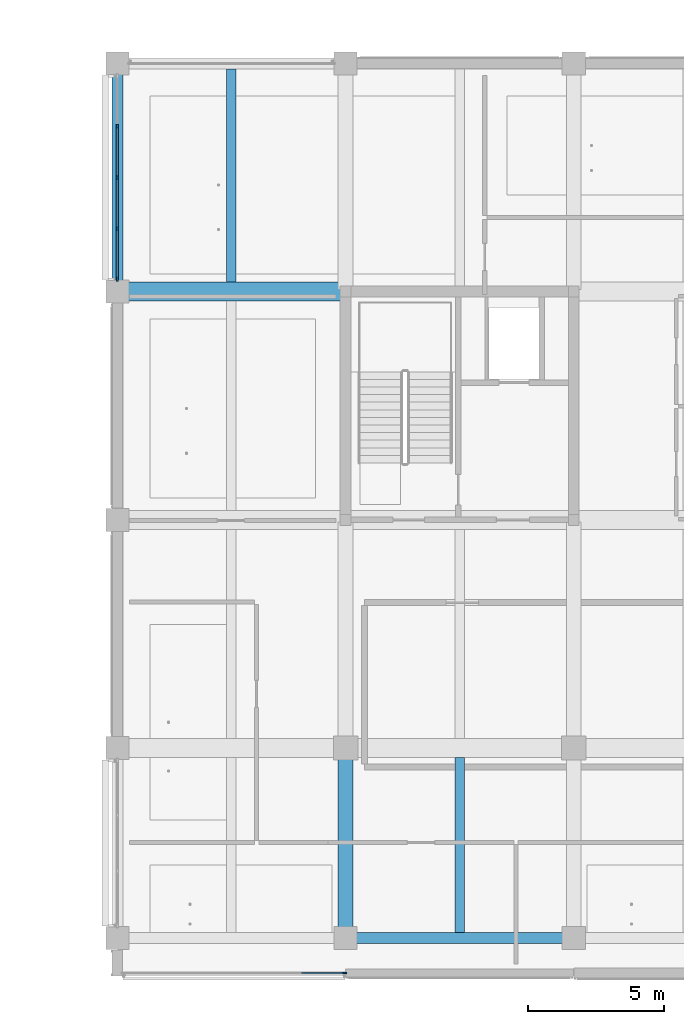
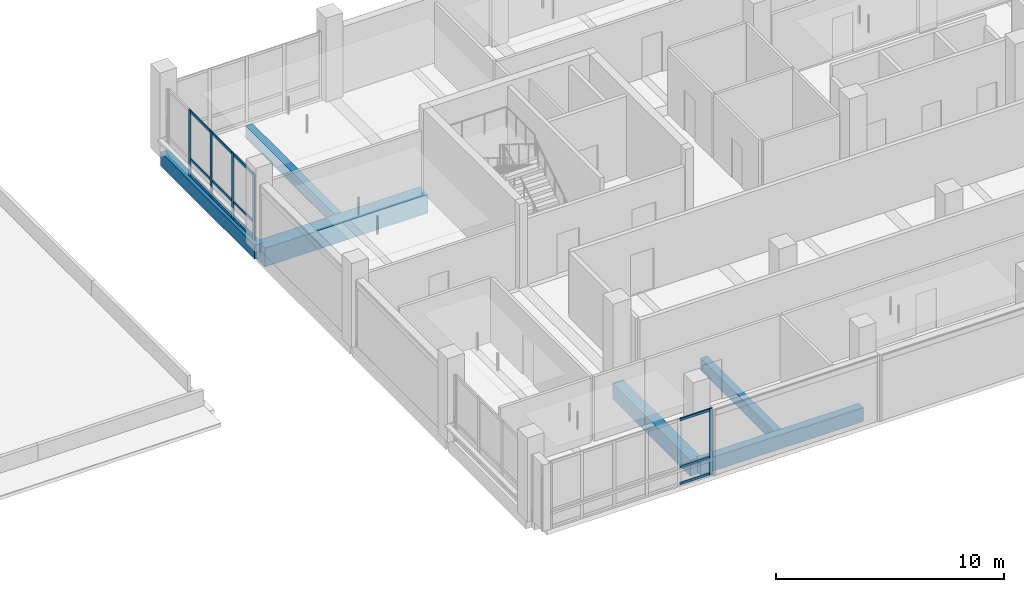
# One storey, part 4 of 39: 17 members, 6 beams, 2 elements without a shape of their own.
"""IFC4 building model written with IfcOpenShell, lengths in metres."""

from ifc_helpers import new_model, si_unit, direction, frame, origin, origin_2d, place, context, subcontext, project, spatial, rectangle, extrude, material, layer, layer_set, material_profile, profile_set, type_object, element, aggregate, save


model = new_model("IFC4")

# Units and contexts
model_context = context("Model", 3, precision=1e-05, world=origin(), true_north=direction((0.0, 1.0)))
body_context = subcontext(model_context, "Body", "Model", "MODEL_VIEW")
ifc_project = project(units=[si_unit("LENGTHUNIT", "METRE"), si_unit("AREAUNIT", "SQUARE_METRE"), si_unit("VOLUMEUNIT", "CUBIC_METRE"), si_unit("PLANEANGLEUNIT", "RADIAN"), si_unit("MASSUNIT", "GRAM", prefix="KILO")], contexts=[model_context])

# Site, building, storey
site_placement = place(None, origin())
site = spatial("IfcSite", under=ifc_project, at=site_placement, CompositionType="ELEMENT")
building_placement = place(site_placement, origin())
building = spatial("IfcBuilding", under=site, at=building_placement, Name="Telukmera Botanical Conservatory", CompositionType="ELEMENT")
storey_placement = place(building_placement, frame((0.0, 0.0, 19.5)))
storey = spatial("IfcBuildingStorey", under=building, at=storey_placement, Name="L04", CompositionType="ELEMENT", Elevation=19.5)

# Beams
ifc_material_1 = material(Name="Concrete C50/60", Category="concrete")
ifc_material_profile_1 = material_profile(ifc_material_1, rectangle(XDim=0.699951171875, YDim=1.0, at=origin_2d()), Name="RC 700x1000")
ifc_profile_set_1 = profile_set([ifc_material_profile_1], Name="Concrete C50/60")
beam_type_1 = type_object("IfcBeamType", Name="Beam_B1", PredefinedType="BEAM", material=ifc_profile_set_1)
beam_1_placement = place(storey_placement, frame((50.47998046875, 34.39990234375, -0.5), z_axis=(1.0, 0.0, 0.0), x_axis=(0.0, 1.0, 0.0)))
element("IfcBeam", 1, at=beam_1_placement, inside=storey, type_object=beam_type_1, Name="Tower Grid Beam L04", PredefinedType="BEAM", context=body_context, shape_type="SweptSolid", body=[
    extrude(rectangle(XDim=0.699951171875, YDim=1.0, at=origin_2d()), origin(), (0.0, 0.0, 1.0), 8.239990234375),
])
ifc_material_2 = material(Name="Concrete C40/50", Category="concrete")
ifc_material_profile_2 = material_profile(ifc_material_2, rectangle(XDim=0.35009765625, YDim=0.64990234375, at=origin_2d()), Name="RC 350x650")
ifc_profile_set_2 = profile_set([ifc_material_profile_2], Name="Concrete C40/50")
beam_type_2 = type_object("IfcBeamType", Name="Beam_B20", PredefinedType="JOIST", material=ifc_profile_set_2)
beam_2_placement = place(storey_placement, frame((54.60009765625, 34.75, -0.324951171875), z_axis=(0.0, 1.0, 0.0), x_axis=(-1.0, 0.0, 0.0)))
element("IfcBeam", 2, at=beam_2_placement, inside=storey, type_object=beam_type_2, Name="Tower Secondary Floor Joist L04", PredefinedType="JOIST", context=body_context, shape_type="SweptSolid", body=[
    extrude(rectangle(XDim=0.35009765625, YDim=0.64990234375, at=origin_2d()), origin(), (0.0, 0.0, 1.0), 7.85009765625),
])
beam_3_placement = place(storey_placement, frame((63.0, 10.800048828125, -0.324951171875), z_axis=(0.0, 1.0, 0.0), x_axis=(-1.0, 0.0, 0.0)))
element("IfcBeam", 3, at=beam_3_placement, inside=storey, type_object=beam_type_2, Name="Tower Secondary Floor Joist L04", PredefinedType="JOIST", context=body_context, shape_type="SweptSolid", body=[
    extrude(rectangle(XDim=0.35009765625, YDim=0.64990234375, at=origin_2d()), origin(), (0.0, 0.0, 1.0), 6.449951171875),
])
ifc_material_profile_3 = material_profile(ifc_material_2, rectangle(XDim=0.550048828125, YDim=0.85009765625, at=origin_2d()), Name="RC 550x850")
ifc_profile_set_3 = profile_set([ifc_material_profile_3], Name="Concrete C40/50")
beam_type_3 = type_object("IfcBeamType", Name="Beam_B4", PredefinedType="BEAM", material=ifc_profile_set_3)
beam_4_placement = place(storey_placement, frame((58.800048828125, 10.679931640625, -0.425048828125), z_axis=(0.0, 1.0, 0.0), x_axis=(-1.0, 0.0, 0.0)))
element("IfcBeam", 4, at=beam_4_placement, inside=storey, type_object=beam_type_3, Name="Tower Transverse Beam L04", PredefinedType="BEAM", context=body_context, shape_type="SweptSolid", body=[
    extrude(rectangle(XDim=0.550048828125, YDim=0.85009765625, at=origin_2d()), origin(), (0.0, 0.0, 1.0), 6.840087890625),
])
ifc_material_3 = material(Name="Precast concrete C40/50", Category="concrete")
ifc_material_profile_4 = material_profile(ifc_material_3, rectangle(XDim=0.39990234375, YDim=0.75, at=origin_2d()), Name="PC 400x750")
ifc_profile_set_4 = profile_set([ifc_material_profile_4], Name="Precast concrete C40/50")
beam_type_4 = type_object("IfcBeamType", Name="Beam_SP1", PredefinedType="SPANDREL", material=ifc_profile_set_4)
beam_5_placement = place(storey_placement, frame((58.8798828125, 10.60009765625, -0.375), z_axis=(1.0, 0.0, 0.0), x_axis=(0.0, 1.0, 0.0)))
element("IfcBeam", 5, at=beam_5_placement, inside=storey, type_object=beam_type_4, Name="Tower Grid Beam L04", PredefinedType="SPANDREL", context=body_context, shape_type="SweptSolid", body=[
    extrude(rectangle(XDim=0.39990234375, YDim=0.75, at=origin_2d()), origin(), (0.0, 0.0, 1.0), 8.240234375),
])
beam_6_placement = place(storey_placement, frame((50.39990234375, 34.47998046875, -0.375), z_axis=(0.0, 1.0, 0.0), x_axis=(-1.0, 0.0, 0.0)))
element("IfcBeam", 6, at=beam_6_placement, inside=storey, type_object=beam_type_4, Name="Tower Transverse Beam L04", PredefinedType="SPANDREL", context=body_context, shape_type="SweptSolid", body=[
    extrude(rectangle(XDim=0.39990234375, YDim=0.75, at=origin_2d()), origin(), (0.0, 0.0, 1.0), 8.239990234375),
])

# Curtain wall, member
ifc_material_4 = material(Name="Anodised aluminium 6063-T6", Category="aluminium")
ifc_layer = layer(ifc_material_4, 0.179931640625)
ifc_layer_set = layer_set([ifc_layer], Name="Anodised aluminium 6063-T6")
curtain_wall_type = type_object("IfcCurtainWallType", Name="Tower Herbarium Curation Corner Curtain Wall", PredefinedType="USERDEFINED", material=ifc_layer_set)
curtain_wall_1_placement = place(storey_placement, origin())
curtain_wall_1 = element("IfcCurtainWall", 7, at=curtain_wall_1_placement, inside=storey, type_object=curtain_wall_type, Name="Unitised Curtain Wall CW14 V4:L04:S1", ObjectType="UNITISED CURTAIN WALL", PredefinedType="USERDEFINED")
ifc_material_profile_5 = material_profile(ifc_material_4, rectangle(XDim=0.06494140625, YDim=0.159912109375, at=origin_2d()), Name="ALU MULL 65x160")
ifc_profile_set_5 = profile_set([ifc_material_profile_5], Name="Anodised aluminium 6063-T6")
member_type_1 = type_object("IfcMemberType", Name="Curtain Wall Extruded Mullion 65x160", PredefinedType="MULLION", material=ifc_profile_set_5)
member_1_placement = place(storey_placement, frame((58.765380859375, 9.320068359375, 0.0), z_axis=(0.0, 0.0, 1.0), x_axis=(0.0, 1.0, 0.0)))
member_1 = element("IfcMember", 8, at=member_1_placement, type_object=member_type_1, Name="CW14 mullion 6", PredefinedType="MULLION", context=body_context, shape_type="SweptSolid", body=[
    extrude(rectangle(XDim=0.06494140625, YDim=0.159912109375, at=origin_2d()), origin(), (0.0, 0.0, 1.0), 3.550048828125),
])

# Curtain wall, members
curtain_wall_2_placement = place(storey_placement, origin())
curtain_wall_2 = element("IfcCurtainWall", 9, at=curtain_wall_2_placement, inside=storey, type_object=curtain_wall_type, Name="Unitised Curtain Wall CW14 V4:L04:W4", ObjectType="UNITISED CURTAIN WALL", PredefinedType="USERDEFINED")
member_2_placement = place(storey_placement, frame((50.39990234375, 34.859619140625, 0.0), z_axis=(0.0, 0.0, 1.0), x_axis=(-1.0, 0.0, 0.0)))
member_2 = element("IfcMember", 10, at=member_2_placement, type_object=member_type_1, Name="CW14 mullion 1", PredefinedType="MULLION", context=body_context, shape_type="SweptSolid", body=[
    extrude(rectangle(XDim=0.06494140625, YDim=0.159912109375, at=origin_2d()), origin(), (0.0, 0.0, 1.0), 3.550048828125),
])
member_3_placement = place(storey_placement, frame((50.39990234375, 36.71337890625, 0.0), z_axis=(0.0, 0.0, 1.0), x_axis=(-1.0, 0.0, 0.0)))
member_3 = element("IfcMember", 11, at=member_3_placement, type_object=member_type_1, Name="CW14 mullion 2", PredefinedType="MULLION", context=body_context, shape_type="SweptSolid", body=[
    extrude(rectangle(XDim=0.06494140625, YDim=0.159912109375, at=origin_2d()), origin(), (0.0, 0.0, 1.0), 3.550048828125),
])
member_4_placement = place(storey_placement, frame((50.39990234375, 38.60009765625, 0.0), z_axis=(0.0, 0.0, 1.0), x_axis=(-1.0, 0.0, 0.0)))
member_4 = element("IfcMember", 12, at=member_4_placement, type_object=member_type_1, Name="CW14 mullion 3", PredefinedType="MULLION", context=body_context, shape_type="SweptSolid", body=[
    extrude(rectangle(XDim=0.06494140625, YDim=0.159912109375, at=origin_2d()), origin(), (0.0, 0.0, 1.0), 3.550048828125),
])
member_5_placement = place(storey_placement, frame((50.39990234375, 40.486572265625, 0.0), z_axis=(0.0, 0.0, 1.0), x_axis=(-1.0, 0.0, 0.0)))
member_5 = element("IfcMember", 13, at=member_5_placement, type_object=member_type_1, Name="CW14 mullion 4", PredefinedType="MULLION", context=body_context, shape_type="SweptSolid", body=[
    extrude(rectangle(XDim=0.06494140625, YDim=0.159912109375, at=origin_2d()), origin(), (0.0, 0.0, 1.0), 3.550048828125),
])

# Member
ifc_material_profile_6 = material_profile(ifc_material_4, rectangle(XDim=0.06494140625, YDim=0.1298828125, at=origin_2d()), Name="ALU TRAN 65x130")
ifc_profile_set_6 = profile_set([ifc_material_profile_6], Name="Anodised aluminium 6063-T6")
member_type_2 = type_object("IfcMemberType", Name="Curtain Wall Extruded Transom 65x130", PredefinedType="USERDEFINED", material=ifc_profile_set_6)
member_6_placement = place(storey_placement, frame((57.189208984375, 9.320068359375, 0.06494140625), z_axis=(1.0, 0.0, 0.0), x_axis=(0.0, 1.0, 0.0)))
member_6 = element("IfcMember", 14, at=member_6_placement, type_object=member_type_2, Name="CW14 transom 5.1", ObjectType="TRANSOM", PredefinedType="USERDEFINED", context=body_context, shape_type="SweptSolid", body=[
    extrude(rectangle(XDim=0.06494140625, YDim=0.1298828125, at=origin_2d()), origin(), (0.0, 0.0, 1.0), 1.543701171875),
])

member_7_placement = place(storey_placement, frame((57.189208984375, 9.320068359375, 0.949951171875), z_axis=(1.0, 0.0, 0.0), x_axis=(0.0, 1.0, 0.0)))
member_7 = element("IfcMember", 15, at=member_7_placement, type_object=member_type_2, Name="CW14 transom 5.2", ObjectType="TRANSOM", PredefinedType="USERDEFINED", context=body_context, shape_type="SweptSolid", body=[
    extrude(rectangle(XDim=0.06494140625, YDim=0.1298828125, at=origin_2d()), origin(), (0.0, 0.0, 1.0), 1.543701171875),
])

member_8_placement = place(storey_placement, frame((57.189208984375, 9.320068359375, 3.485107421875), z_axis=(1.0, 0.0, 0.0), x_axis=(0.0, 1.0, 0.0)))
member_8 = element("IfcMember", 16, at=member_8_placement, type_object=member_type_2, Name="CW14 transom 5.3", ObjectType="TRANSOM", PredefinedType="USERDEFINED", context=body_context, shape_type="SweptSolid", body=[
    extrude(rectangle(XDim=0.06494140625, YDim=0.1298828125, at=origin_2d()), origin(), (0.0, 0.0, 1.0), 1.543701171875),
])

aggregate(curtain_wall_1, [member_1, member_6, member_7, member_8])

member_9_placement = place(storey_placement, frame((50.39990234375, 34.89208984375, 0.06494140625), z_axis=(0.0, 1.0, 0.0), x_axis=(-1.0, 0.0, 0.0)))
member_9 = element("IfcMember", 17, at=member_9_placement, type_object=member_type_2, Name="CW14 transom 1.1", ObjectType="TRANSOM", PredefinedType="USERDEFINED", context=body_context, shape_type="SweptSolid", body=[
    extrude(rectangle(XDim=0.06494140625, YDim=0.1298828125, at=origin_2d()), origin(), (0.0, 0.0, 1.0), 1.788818359375),
])

member_10_placement = place(storey_placement, frame((50.39990234375, 34.89208984375, 0.949951171875), z_axis=(0.0, 1.0, 0.0), x_axis=(-1.0, 0.0, 0.0)))
member_10 = element("IfcMember", 18, at=member_10_placement, type_object=member_type_2, Name="CW14 transom 1.2", ObjectType="TRANSOM", PredefinedType="USERDEFINED", context=body_context, shape_type="SweptSolid", body=[
    extrude(rectangle(XDim=0.06494140625, YDim=0.1298828125, at=origin_2d()), origin(), (0.0, 0.0, 1.0), 1.788818359375),
])

member_11_placement = place(storey_placement, frame((50.39990234375, 34.89208984375, 3.485107421875), z_axis=(0.0, 1.0, 0.0), x_axis=(-1.0, 0.0, 0.0)))
member_11 = element("IfcMember", 19, at=member_11_placement, type_object=member_type_2, Name="CW14 transom 1.3", ObjectType="TRANSOM", PredefinedType="USERDEFINED", context=body_context, shape_type="SweptSolid", body=[
    extrude(rectangle(XDim=0.06494140625, YDim=0.1298828125, at=origin_2d()), origin(), (0.0, 0.0, 1.0), 1.788818359375),
])

member_12_placement = place(storey_placement, frame((50.39990234375, 36.74609375, 0.06494140625), z_axis=(0.0, 1.0, 0.0), x_axis=(-1.0, 0.0, 0.0)))
member_12 = element("IfcMember", 20, at=member_12_placement, type_object=member_type_2, Name="CW14 transom 2.1", ObjectType="TRANSOM", PredefinedType="USERDEFINED", context=body_context, shape_type="SweptSolid", body=[
    extrude(rectangle(XDim=0.06494140625, YDim=0.1298828125, at=origin_2d()), origin(), (0.0, 0.0, 1.0), 1.8212890625),
])

member_13_placement = place(storey_placement, frame((50.39990234375, 36.74609375, 0.949951171875), z_axis=(0.0, 1.0, 0.0), x_axis=(-1.0, 0.0, 0.0)))
member_13 = element("IfcMember", 21, at=member_13_placement, type_object=member_type_2, Name="CW14 transom 2.2", ObjectType="TRANSOM", PredefinedType="USERDEFINED", context=body_context, shape_type="SweptSolid", body=[
    extrude(rectangle(XDim=0.06494140625, YDim=0.1298828125, at=origin_2d()), origin(), (0.0, 0.0, 1.0), 1.8212890625),
])

member_14_placement = place(storey_placement, frame((50.39990234375, 36.74609375, 3.485107421875), z_axis=(0.0, 1.0, 0.0), x_axis=(-1.0, 0.0, 0.0)))
member_14 = element("IfcMember", 22, at=member_14_placement, type_object=member_type_2, Name="CW14 transom 2.3", ObjectType="TRANSOM", PredefinedType="USERDEFINED", context=body_context, shape_type="SweptSolid", body=[
    extrude(rectangle(XDim=0.06494140625, YDim=0.1298828125, at=origin_2d()), origin(), (0.0, 0.0, 1.0), 1.8212890625),
])

member_15_placement = place(storey_placement, frame((50.39990234375, 38.632568359375, 0.06494140625), z_axis=(0.0, 1.0, 0.0), x_axis=(-1.0, 0.0, 0.0)))
member_15 = element("IfcMember", 23, at=member_15_placement, type_object=member_type_2, Name="CW14 transom 3.1", ObjectType="TRANSOM", PredefinedType="USERDEFINED", context=body_context, shape_type="SweptSolid", body=[
    extrude(rectangle(XDim=0.06494140625, YDim=0.1298828125, at=origin_2d()), origin(), (0.0, 0.0, 1.0), 1.821533203125),
])

member_16_placement = place(storey_placement, frame((50.39990234375, 38.632568359375, 0.949951171875), z_axis=(0.0, 1.0, 0.0), x_axis=(-1.0, 0.0, 0.0)))
member_16 = element("IfcMember", 24, at=member_16_placement, type_object=member_type_2, Name="CW14 transom 3.2", ObjectType="TRANSOM", PredefinedType="USERDEFINED", context=body_context, shape_type="SweptSolid", body=[
    extrude(rectangle(XDim=0.06494140625, YDim=0.1298828125, at=origin_2d()), origin(), (0.0, 0.0, 1.0), 1.821533203125),
])

member_17_placement = place(storey_placement, frame((50.39990234375, 38.632568359375, 3.485107421875), z_axis=(0.0, 1.0, 0.0), x_axis=(-1.0, 0.0, 0.0)))
member_17 = element("IfcMember", 25, at=member_17_placement, type_object=member_type_2, Name="CW14 transom 3.3", ObjectType="TRANSOM", PredefinedType="USERDEFINED", context=body_context, shape_type="SweptSolid", body=[
    extrude(rectangle(XDim=0.06494140625, YDim=0.1298828125, at=origin_2d()), origin(), (0.0, 0.0, 1.0), 1.821533203125),
])

aggregate(curtain_wall_2, [member_2, member_3, member_4, member_5, member_9, member_10, member_11, member_12, member_13, member_14, member_15, member_16, member_17])

save(model, "model.ifc")
